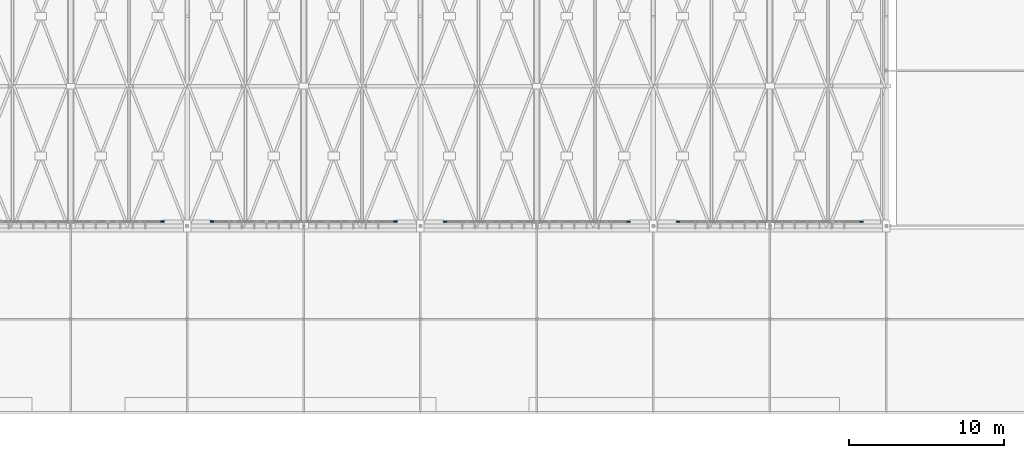
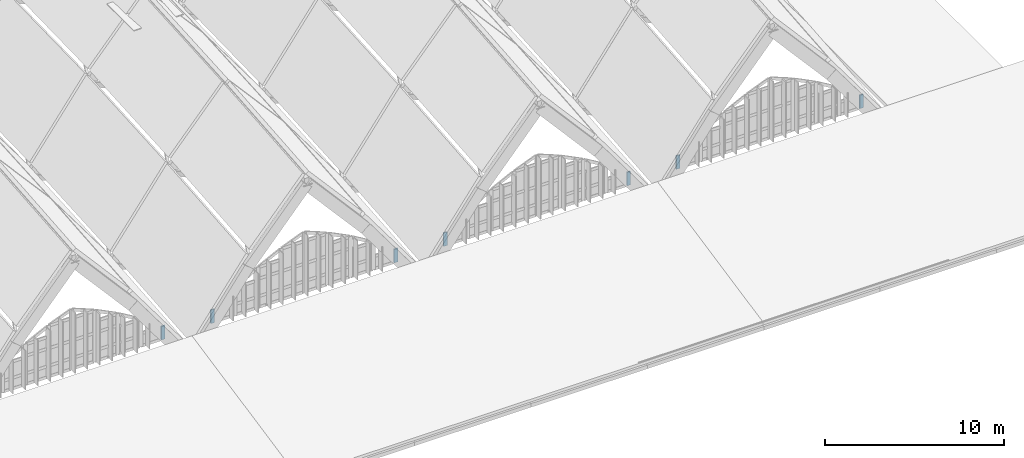
# One storey, part 55 of 93: 7 members, 4 elements without a shape of their own.
"""IFC4 building model written with IfcOpenShell, lengths in metres."""

from ifc_helpers import new_model, si_unit, direction, frame, origin, origin_2d, place, context, subcontext, project, spatial, rectangle, extrude, material, material_profile, profile_set, type_object, element, aggregate, save


model = new_model("IFC4")

# Units and contexts
model_context = context("Model", 3, precision=1e-05, world=origin(), true_north=direction((0.0, 1.0)))
body_context = subcontext(model_context, "Body", "Model", "MODEL_VIEW")
ifc_project = project(units=[si_unit("LENGTHUNIT", "METRE"), si_unit("AREAUNIT", "SQUARE_METRE"), si_unit("VOLUMEUNIT", "CUBIC_METRE"), si_unit("PLANEANGLEUNIT", "RADIAN"), si_unit("MASSUNIT", "GRAM", prefix="KILO")], contexts=[model_context])

# Site, building, storey
site_placement = place(None, origin())
site = spatial("IfcSite", under=ifc_project, at=site_placement, CompositionType="ELEMENT")
building_placement = place(site_placement, origin())
building = spatial("IfcBuilding", under=site, at=building_placement, Name="Vourika Railside Aquatics Centre", CompositionType="ELEMENT")
storey_placement = place(building_placement, frame((0.0, 0.0, 21.89990234375)))
storey = spatial("IfcBuildingStorey", under=building, at=storey_placement, Name="Roof", CompositionType="ELEMENT", Elevation=21.89990234375)

# Curtain wall, members
ifc_material_1 = material(Name="Anodized thermally broken aluminium", Category="aluminium")
curtain_wall_type_1 = type_object("IfcCurtainWallType", Name="CW-VLTS1", PredefinedType="NOTDEFINED", material=ifc_material_1)
curtain_wall_1_placement = place(storey_placement, origin())
curtain_wall_1 = element("IfcCurtainWall", 1, at=curtain_wall_1_placement, inside=storey, type_object=curtain_wall_type_1, Name="South Boulevard Pointed-Arch Clerestory Curtain Wall Bay 6", PredefinedType="NOTDEFINED")
ifc_material_2 = material(Name="Anodized aluminium mullion", Category="aluminium")
ifc_material_profile_1 = material_profile(ifc_material_2, rectangle(XDim=0.08203125, YDim=0.235107421875, at=origin_2d()), Name="ALU-M 82x235")
ifc_profile_set_1 = profile_set([ifc_material_profile_1], Name="Anodized aluminium mullion")
member_type_1 = type_object("IfcMemberType", Name="CWM-VLTS1", PredefinedType="MULLION", material=ifc_profile_set_1)
member_1_placement = place(storey_placement, frame((112.591064453125, 12.280029296875, -9.8798828125), z_axis=(0.0, 0.0, 1.0), x_axis=(0.0, 1.0, 0.0)))
member_1 = element("IfcMember", 2, at=member_1_placement, type_object=member_type_1, Name="CW03 arch mullion 1", PredefinedType="MULLION", context=body_context, shape_type="SweptSolid", body=[
    extrude(rectangle(XDim=0.08203125, YDim=0.235107421875, at=origin_2d()), origin(), (0.0, 0.0, 1.0), 0.909912109375),
])
member_2_placement = place(storey_placement, frame((124.408935546875, 12.280029296875, -9.8798828125), z_axis=(0.0, 0.0, 1.0), x_axis=(0.0, 1.0, 0.0)))
member_2 = element("IfcMember", 3, at=member_2_placement, type_object=member_type_1, Name="CW03 arch mullion 9", PredefinedType="MULLION", context=body_context, shape_type="SweptSolid", body=[
    extrude(rectangle(XDim=0.08203125, YDim=0.235107421875, at=origin_2d()), origin(), (0.0, 0.0, 1.0), 0.909912109375),
])
aggregate(curtain_wall_1, [member_1, member_2])

curtain_wall_2_placement = place(storey_placement, origin())
curtain_wall_2 = element("IfcCurtainWall", 4, at=curtain_wall_2_placement, inside=storey, type_object=curtain_wall_type_1, Name="South Boulevard Pointed-Arch Clerestory Curtain Wall Bay 7", PredefinedType="NOTDEFINED")
member_3_placement = place(storey_placement, frame((127.591064453125, 12.280029296875, -9.8798828125), z_axis=(0.0, 0.0, 1.0), x_axis=(0.0, 1.0, 0.0)))
member_3 = element("IfcMember", 5, at=member_3_placement, type_object=member_type_1, Name="CW03 arch mullion 1", PredefinedType="MULLION", context=body_context, shape_type="SweptSolid", body=[
    extrude(rectangle(XDim=0.08203125, YDim=0.235107421875, at=origin_2d()), origin(), (0.0, 0.0, 1.0), 0.909912109375),
])
member_4_placement = place(storey_placement, frame((139.408935546875, 12.280029296875, -9.8798828125), z_axis=(0.0, 0.0, 1.0), x_axis=(0.0, 1.0, 0.0)))
member_4 = element("IfcMember", 6, at=member_4_placement, type_object=member_type_1, Name="CW03 arch mullion 9", PredefinedType="MULLION", context=body_context, shape_type="SweptSolid", body=[
    extrude(rectangle(XDim=0.08203125, YDim=0.235107421875, at=origin_2d()), origin(), (0.0, 0.0, 1.0), 0.909912109375),
])
aggregate(curtain_wall_2, [member_3, member_4])

# Curtain wall, member
curtain_wall_type_2 = type_object("IfcCurtainWallType", Name="CW-VLTS2", PredefinedType="NOTDEFINED", material=ifc_material_1)
curtain_wall_3_placement = place(storey_placement, origin())
curtain_wall_3 = element("IfcCurtainWall", 7, at=curtain_wall_3_placement, inside=storey, type_object=curtain_wall_type_2, Name="South Boulevard Pointed-Arch Clerestory Curtain Wall Bay 4", PredefinedType="NOTDEFINED")
ifc_material_profile_2 = material_profile(ifc_material_2, rectangle(XDim=0.087890625, YDim=0.2451171875, at=origin_2d()), Name="ALU-M 88x245")
ifc_profile_set_2 = profile_set([ifc_material_profile_2], Name="Anodized aluminium mullion")
member_type_2 = type_object("IfcMemberType", Name="CWM-VLTS2", PredefinedType="MULLION", material=ifc_profile_set_2)
member_5_placement = place(storey_placement, frame((94.406005859375, 12.280029296875, -9.8798828125), z_axis=(0.0, 0.0, 1.0), x_axis=(0.0, 1.0, 0.0)))
member_5 = element("IfcMember", 8, at=member_5_placement, type_object=member_type_2, Name="CW04 arch mullion 9", PredefinedType="MULLION", context=body_context, shape_type="SweptSolid", body=[
    extrude(rectangle(XDim=0.087890625, YDim=0.2451171875, at=origin_2d()), origin(), (0.0, 0.0, 1.0), 0.911865234375),
])
aggregate(curtain_wall_3, [member_5])

# Curtain wall, members
curtain_wall_4_placement = place(storey_placement, origin())
curtain_wall_4 = element("IfcCurtainWall", 9, at=curtain_wall_4_placement, inside=storey, type_object=curtain_wall_type_2, Name="South Boulevard Pointed-Arch Clerestory Curtain Wall Bay 5", PredefinedType="NOTDEFINED")
member_6_placement = place(storey_placement, frame((97.593994140625, 12.280029296875, -9.8798828125), z_axis=(0.0, 0.0, 1.0), x_axis=(0.0, 1.0, 0.0)))
member_6 = element("IfcMember", 10, at=member_6_placement, type_object=member_type_2, Name="CW04 arch mullion 1", PredefinedType="MULLION", context=body_context, shape_type="SweptSolid", body=[
    extrude(rectangle(XDim=0.087890625, YDim=0.2451171875, at=origin_2d()), origin(), (0.0, 0.0, 1.0), 0.911865234375),
])
member_7_placement = place(storey_placement, frame((109.406005859375, 12.280029296875, -9.8798828125), z_axis=(0.0, 0.0, 1.0), x_axis=(0.0, 1.0, 0.0)))
member_7 = element("IfcMember", 11, at=member_7_placement, type_object=member_type_2, Name="CW04 arch mullion 9", PredefinedType="MULLION", context=body_context, shape_type="SweptSolid", body=[
    extrude(rectangle(XDim=0.087890625, YDim=0.2451171875, at=origin_2d()), origin(), (0.0, 0.0, 1.0), 0.911865234375),
])
aggregate(curtain_wall_4, [member_6, member_7])

save(model, "model.ifc")
